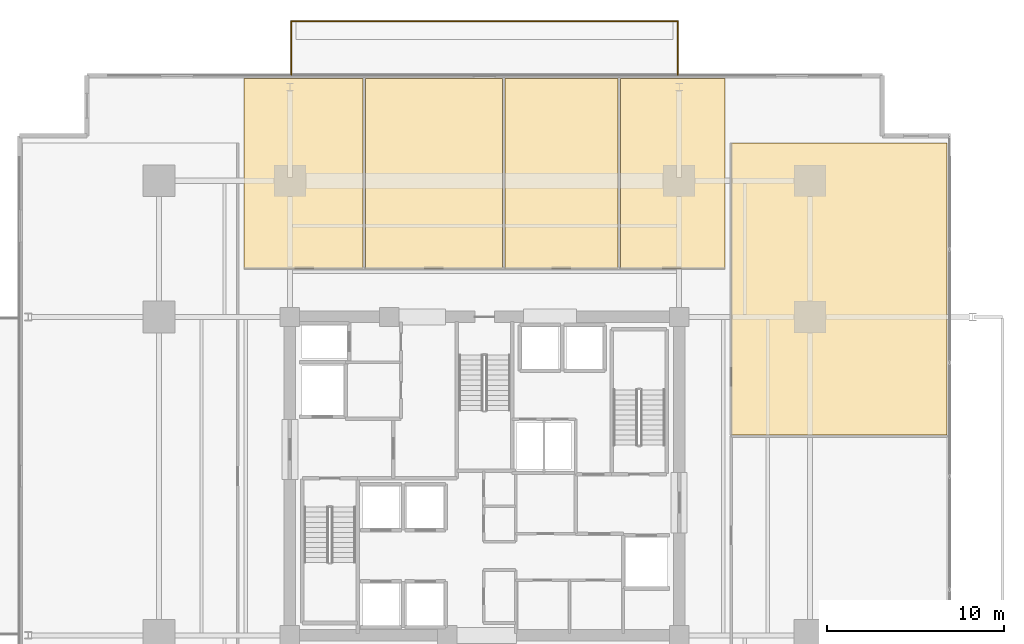
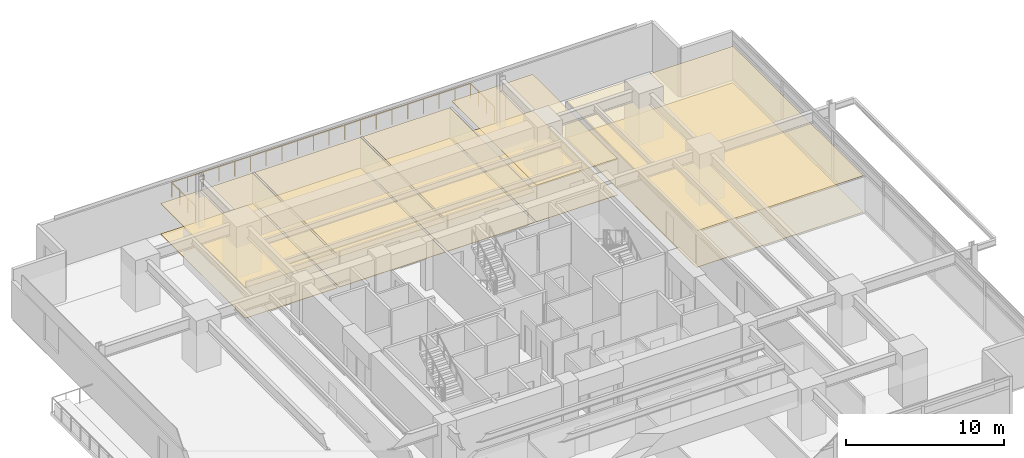
# One storey, part 19 of 19: 10 coverings, 1 railing.
"""IFC4 building model written with IfcOpenShell, lengths in metres."""

import ifcopenshell
import ifcopenshell.guid

model = None  # the IFC model being written
_history = None  # IfcOwnerHistory: only IFC2X3 demands one
_inside = {}  # id of a spatial element -> (the spatial element, [elements in it])
_under = {}  # id of a project, library or spatial element -> (it, [spatial elements below it])
_declared = {}  # id of a project -> (the project, [libraries it declares])
_typed = {}  # id of a type object -> (the type object, [elements of that type])
_made_of = {}  # id of a material, layer set ... -> (it, [elements and type objects made of it])


def new_model(schema):
    """Start an empty IFC model of exactly this schema.

    Asked for "IFC4X3", IfcOpenShell would pick the latest addendum, in which some entities
    have other attributes; the version numbers below select the first issue.
    IFC2X3 requires an IfcOwnerHistory on every rooted entity: one is made here for all.
    """
    global model, _history
    if schema == "IFC4X3":
        model = ifcopenshell.file(schema_version=(4, 3, 0, 0))
    else:
        model = ifcopenshell.file(schema=schema)
    _inside.clear()
    _under.clear()
    _declared.clear()
    _typed.clear()
    _made_of.clear()
    _history = None
    if model.schema == "IFC2X3":
        org = make("IfcOrganization", Name="unknown")
        user = make(
            "IfcPersonAndOrganization",
            ThePerson=make("IfcPerson", FamilyName="unknown"),
            TheOrganization=org,
        )
        app = make(
            "IfcApplication",
            ApplicationDeveloper=org,
            Version="unknown",
            ApplicationFullName="unknown",
            ApplicationIdentifier="unknown",
        )
        _history = make(
            "IfcOwnerHistory",
            OwningUser=user,
            OwningApplication=app,
            ChangeAction="ADDED",
            CreationDate=0,
        )
    return model


def make(cls, **values):
    """One entity of the class cls with the attributes given. An attribute that is None is left unset."""
    return model.create_entity(
        cls, **{name: value for name, value in values.items() if value is not None}
    )


def rooted(cls, **values):
    """An entity with a GlobalId (a new one), such as an element, a storey or a relation."""
    return make(cls, GlobalId=ifcopenshell.guid.new(), OwnerHistory=_history, **values)


def si_unit(unit_type, name, prefix=None):
    """IfcSIUnit, for example si_unit("LENGTHUNIT", "METRE", prefix="MILLI")."""
    return make("IfcSIUnit", UnitType=unit_type, Prefix=prefix, Name=name)


def assignment(units):
    """IfcUnitAssignment: the units of a project."""
    return None if units is None else make("IfcUnitAssignment", Units=units)


def point(xyz):
    """IfcCartesianPoint."""
    return None if xyz is None else make("IfcCartesianPoint", Coordinates=xyz)


def direction(xyz):
    """IfcDirection."""
    return None if xyz is None else make("IfcDirection", DirectionRatios=xyz)


def frame(location, z_axis=None, x_axis=None):
    """IfcAxis2Placement3D, a coordinate frame: its origin and axes. An axis left out is left unset."""
    return make(
        "IfcAxis2Placement3D",
        Location=point(location),
        Axis=direction(z_axis),
        RefDirection=direction(x_axis),
    )


def frame_2d(location, x_axis=None):
    """IfcAxis2Placement2D, a coordinate frame in the plane: its origin and x axis."""
    return make(
        "IfcAxis2Placement2D", Location=point(location), RefDirection=direction(x_axis)
    )


def origin():
    """The frame at (0, 0, 0) with its axes left unset."""
    return frame((0.0, 0.0, 0.0))


def origin_2d():
    """The frame at (0, 0) in the plane with its x axis left unset."""
    return frame_2d((0.0, 0.0))


def place(relative_to, where):
    """IfcLocalPlacement: puts the frame where relative to a parent placement (None: the world)."""
    return make(
        "IfcLocalPlacement", PlacementRelTo=relative_to, RelativePlacement=where
    )


def context(
    kind, dimensions, precision=None, world=None, true_north=None, identifier=None
):
    """IfcGeometricRepresentationContext, for example the 3D "Model" context."""
    return make(
        "IfcGeometricRepresentationContext",
        ContextIdentifier=identifier,
        ContextType=kind,
        CoordinateSpaceDimension=dimensions,
        Precision=precision,
        WorldCoordinateSystem=world,
        TrueNorth=true_north,
    )


def subcontext(parent, identifier, kind, view, scale=None):
    """IfcGeometricRepresentationSubContext, for example "Body" below "Model"."""
    return make(
        "IfcGeometricRepresentationSubContext",
        ContextIdentifier=identifier,
        ContextType=kind,
        ParentContext=parent,
        TargetScale=scale,
        TargetView=view,
    )


def project(units=None, contexts=None):
    """IfcProject with its units and contexts."""
    return rooted(
        "IfcProject",
        Name="project",
        RepresentationContexts=contexts,
        UnitsInContext=assignment(units),
    )


def spatial(cls, under=None, at=None, **own):
    """A site, building, storey or space (cls), placed at a placement, below another one or the project."""
    s = rooted(cls, ObjectPlacement=at, **own)
    if under is not None:
        _under.setdefault(under.id(), (under, []))[1].append(s)
    return s


def polyline(points):
    """IfcPolyline through the points."""
    return make("IfcPolyline", Points=[point(p) for p in points])


def profile(cls, at=None, kind="AREA", **sizes):
    """A parametric profile (cls). Its sizes go by their IFC names, for example OverallWidth=200.0."""
    return make(cls, ProfileType=kind, Position=at, **sizes)


def circle(**sizes):
    """IfcCircleProfileDef."""
    return profile("IfcCircleProfileDef", **sizes)


def outline(outer, holes=None, kind="AREA"):
    """IfcArbitraryClosedProfileDef: a profile drawn as a closed curve; with holes, ...WithVoids."""
    if holes is None:
        return make("IfcArbitraryClosedProfileDef", ProfileType=kind, OuterCurve=outer)
    return make(
        "IfcArbitraryProfileDefWithVoids",
        ProfileType=kind,
        OuterCurve=outer,
        InnerCurves=holes,
    )


def extrude(swept, where, along, depth):
    """IfcExtrudedAreaSolid: the profile swept, set in the frame where, extruded along a direction by depth."""
    return make(
        "IfcExtrudedAreaSolid",
        SweptArea=swept,
        Position=where,
        ExtrudedDirection=direction(along),
        Depth=depth,
    )


def shape(context_of_items, identifier, shape_type, items):
    """IfcShapeRepresentation: the items that make up one representation, for example the "Body"."""
    return make(
        "IfcShapeRepresentation",
        ContextOfItems=context_of_items,
        RepresentationIdentifier=identifier,
        RepresentationType=shape_type,
        Items=items,
    )


def material(Name=None, Category=None):
    """IfcMaterial."""
    return make("IfcMaterial", Name=Name, Category=Category)


def layer(
    of_material, thickness, ventilated=None, Name=None, Category=None, Priority=None
):
    """IfcMaterialLayer: one layer of a wall or slab, of a material (None: an air gap)."""
    return make(
        "IfcMaterialLayer",
        Material=of_material,
        LayerThickness=thickness,
        IsVentilated=ventilated,
        Name=Name,
        Category=Category,
        Priority=Priority,
    )


def layer_set(layers, Name=None):
    """IfcMaterialLayerSet."""
    return make("IfcMaterialLayerSet", MaterialLayers=layers, LayerSetName=Name)


def made_of(thing, what):
    """Note that an element or type object is made of a material, layer set ...; save() writes the relation."""
    if what is not None:
        _made_of.setdefault(what.id(), (what, []))[1].append(thing)
    return thing


def type_object(cls, material=None, **own):
    """A type object (cls), such as IfcWallType, which elements share."""
    return made_of(rooted(cls, **own), material)


def element(
    cls,
    number,
    at=None,
    inside=None,
    cuts=None,
    type_object=None,
    material=None,
    context=None,
    identifier="Body",
    shape_type=None,
    held_by="IfcProductDefinitionShape",
    body=None,
    shapes=None,
    **own,
):
    """One element of the class cls, such as IfcWall. Its Tag is "e" and its number.

    at: its placement. inside: the storey or other place that contains it. cuts: it is an
    opening in that element (IfcRelVoidsElement). A single representation is given by context,
    identifier, shape_type and body (its items); several are given by shapes. held_by: the class
    of the entity that holds the representations. save() writes the other relations.
    """
    e = rooted(cls, Tag="e%d" % number, ObjectPlacement=at, **own)
    if body is not None:
        shapes = [shape(context, identifier, shape_type, body)]
    if shapes is not None:
        e.Representation = make(held_by, Representations=shapes)
    if inside is not None:
        _inside.setdefault(inside.id(), (inside, []))[1].append(e)
    if cuts is not None:
        rooted(
            "IfcRelVoidsElement", RelatingBuildingElement=cuts, RelatedOpeningElement=e
        )
    if type_object is not None:
        _typed.setdefault(type_object.id(), (type_object, []))[1].append(e)
    return made_of(e, material)


def aggregate(whole, parts):
    """IfcRelAggregates: a whole, such as a stair, and the parts it consists of."""
    return rooted("IfcRelAggregates", RelatingObject=whole, RelatedObjects=parts)


def save(model, path):
    """Write the relations noted so far, then the file.

    IfcRelAggregates (storeys below a building ...), IfcRelContainedInSpatialStructure (elements
    in a storey), IfcRelDefinesByType, IfcRelAssociatesMaterial and IfcRelDeclares: one each for
    every whole, place, type object, material and project.
    """
    for whole, parts in _under.values():
        aggregate(whole, parts)
    for where, things in _inside.values():
        rooted(
            "IfcRelContainedInSpatialStructure",
            RelatedElements=things,
            RelatingStructure=where,
        )
    for kind, things in _typed.values():
        rooted("IfcRelDefinesByType", RelatedObjects=things, RelatingType=kind)
    for what, things in _made_of.values():
        rooted("IfcRelAssociatesMaterial", RelatedObjects=things, RelatingMaterial=what)
    for by, libraries in _declared.values():
        rooted("IfcRelDeclares", RelatingContext=by, RelatedDefinitions=libraries)
    model.write(path)


model = new_model("IFC4")

# Units and contexts
model_context = context("Model", 3, precision=1e-05, world=origin(), true_north=direction((0.0, 1.0)))
body_context = subcontext(model_context, "Body", "Model", "MODEL_VIEW")
ifc_project = project(units=[si_unit("LENGTHUNIT", "METRE"), si_unit("AREAUNIT", "SQUARE_METRE"), si_unit("VOLUMEUNIT", "CUBIC_METRE"), si_unit("PLANEANGLEUNIT", "RADIAN"), si_unit("MASSUNIT", "GRAM", prefix="KILO")], contexts=[model_context])

# Site, building, storey
site_placement = place(None, origin())
site = spatial("IfcSite", under=ifc_project, at=site_placement, CompositionType="ELEMENT")
building_placement = place(site_placement, origin())
building = spatial("IfcBuilding", under=site, at=building_placement, Name="Kovane Verandah Tower", CompositionType="ELEMENT")
storey_placement = place(building_placement, frame((0.0, 0.0, 83.60009765625)))
storey = spatial("IfcBuildingStorey", under=building, at=storey_placement, Name="L19", CompositionType="ELEMENT", Elevation=83.60009765625)

# Coverings
ifc_material_1 = material(Name="Perforated Acoustic Mineral-Fibre Ceiling Tile", Category="gypsum")
ifc_layer_1 = layer(ifc_material_1, 0.02490234375)
ifc_layer_set_1 = layer_set([ifc_layer_1], Name="Perforated Acoustic Mineral-Fibre Ceiling Tile")
covering_type_1 = type_object("IfcCoveringType", Name="CV-CEIL-25", PredefinedType="CEILING", material=ifc_layer_set_1)
covering_1_placement = place(storey_placement, frame((0.0, 0.0, 2.364990234375)))
element("IfcCovering", 1, at=covering_1_placement, inside=storey, type_object=covering_type_1, Name="L19 Focus Studio N1 Acoustic Ceiling", PredefinedType="CEILING", context=body_context, shape_type="SweptSolid", body=[
    extrude(outline(polyline([(26.39990234375, 39.25), (33.1298828125, 39.25), (33.1298828125, 49.9892578125), (26.39990234375, 49.9892578125), (26.39990234375, 39.25)])), origin(), (0.0, 0.0, 1.0), 0.02490234375),
])
covering_2_placement = place(storey_placement, frame((0.0, 0.0, 2.364990234375)))
element("IfcCovering", 2, at=covering_2_placement, inside=storey, type_object=covering_type_1, Name="L19 Breakout Pantry N2 Acoustic Ceiling", PredefinedType="CEILING", context=body_context, shape_type="SweptSolid", body=[
    extrude(outline(polyline([(33.27001953125, 39.25), (41.01806640625, 39.25), (41.01806640625, 49.9892578125), (33.27001953125, 49.9892578125), (33.27001953125, 39.25)])), origin(), (0.0, 0.0, 1.0), 0.02490234375),
])
covering_3_placement = place(storey_placement, frame((0.0, 0.0, 2.364990234375)))
element("IfcCovering", 3, at=covering_3_placement, inside=storey, type_object=covering_type_1, Name="L19 Collaboration Hub N3 Acoustic Ceiling", PredefinedType="CEILING", context=body_context, shape_type="SweptSolid", body=[
    extrude(outline(polyline([(41.157958984375, 39.25), (47.5458984375, 39.25), (47.5458984375, 49.9892578125), (41.157958984375, 49.9892578125), (41.157958984375, 39.25)])), origin(), (0.0, 0.0, 1.0), 0.02490234375),
])
covering_4_placement = place(storey_placement, frame((0.0, 0.0, 2.824951171875)))
element("IfcCovering", 4, at=covering_4_placement, inside=storey, type_object=covering_type_1, Name="L19 Document and Print Room N4 Acoustic Ceiling", PredefinedType="CEILING", context=body_context, shape_type="SweptSolid", body=[
    extrude(outline(polyline([(47.68603515625, 39.25), (53.60009765625, 39.25), (53.60009765625, 49.9892578125), (47.68603515625, 49.9892578125), (47.68603515625, 39.25)])), origin(), (0.0, 0.0, 1.0), 0.02490234375),
])
covering_5_placement = place(storey_placement, frame((0.0, 0.0, 2.824951171875)))
element("IfcCovering", 5, at=covering_5_placement, inside=storey, type_object=covering_type_1, Name="L19 Collaboration Hub E2 Acoustic Ceiling", PredefinedType="CEILING", context=body_context, shape_type="SweptSolid", body=[
    extrude(outline(polyline([(53.949951171875, 29.830810546875), (66.134521484375, 29.830810546875), (66.134521484375, 46.339111328125), (53.949951171875, 46.339111328125), (53.949951171875, 29.830810546875)])), origin(), (0.0, 0.0, 1.0), 0.02490234375),
])
ifc_material_2 = material(Name="Polished Terrazzo and Raised-Access Carpet Tile Finish", Category="concrete")
ifc_layer_2 = layer(ifc_material_2, 0.030029296875)
ifc_layer_set_2 = layer_set([ifc_layer_2], Name="Polished Terrazzo and Raised-Access Carpet Tile Finish")
covering_type_2 = type_object("IfcCoveringType", Name="CV-FLOR-30", PredefinedType="FLOORING", material=ifc_layer_set_2)
covering_6_placement = place(storey_placement, origin())
element("IfcCovering", 6, at=covering_6_placement, inside=storey, type_object=covering_type_2, Name="L19 Focus Studio N1 Floor Finish", PredefinedType="FLOORING", context=body_context, shape_type="SweptSolid", body=[
    extrude(outline(polyline([(26.39990234375, 39.25), (33.1298828125, 39.25), (33.1298828125, 49.9892578125), (26.39990234375, 49.9892578125), (26.39990234375, 39.25)])), origin(), (0.0, 0.0, 1.0), 0.02978515625),
])
covering_7_placement = place(storey_placement, origin())
element("IfcCovering", 7, at=covering_7_placement, inside=storey, type_object=covering_type_2, Name="L19 Breakout Pantry N2 Floor Finish", PredefinedType="FLOORING", context=body_context, shape_type="SweptSolid", body=[
    extrude(outline(polyline([(33.27001953125, 39.25), (41.01806640625, 39.25), (41.01806640625, 49.9892578125), (33.27001953125, 49.9892578125), (33.27001953125, 39.25)])), origin(), (0.0, 0.0, 1.0), 0.02978515625),
])
covering_8_placement = place(storey_placement, origin())
element("IfcCovering", 8, at=covering_8_placement, inside=storey, type_object=covering_type_2, Name="L19 Collaboration Hub N3 Floor Finish", PredefinedType="FLOORING", context=body_context, shape_type="SweptSolid", body=[
    extrude(outline(polyline([(41.157958984375, 39.25), (47.5458984375, 39.25), (47.5458984375, 49.9892578125), (41.157958984375, 49.9892578125), (41.157958984375, 39.25)])), origin(), (0.0, 0.0, 1.0), 0.02978515625),
])
covering_9_placement = place(storey_placement, origin())
element("IfcCovering", 9, at=covering_9_placement, inside=storey, type_object=covering_type_2, Name="L19 Document and Print Room N4 Floor Finish", PredefinedType="FLOORING", context=body_context, shape_type="SweptSolid", body=[
    extrude(outline(polyline([(47.68603515625, 39.25), (53.60009765625, 39.25), (53.60009765625, 49.9892578125), (47.68603515625, 49.9892578125), (47.68603515625, 39.25)])), origin(), (0.0, 0.0, 1.0), 0.02978515625),
])
covering_10_placement = place(storey_placement, origin())
element("IfcCovering", 10, at=covering_10_placement, inside=storey, type_object=covering_type_2, Name="L19 Collaboration Hub E2 Floor Finish", PredefinedType="FLOORING", context=body_context, shape_type="SweptSolid", body=[
    extrude(outline(polyline([(53.949951171875, 29.830810546875), (66.134521484375, 29.830810546875), (66.134521484375, 46.339111328125), (53.949951171875, 46.339111328125), (53.949951171875, 29.830810546875)])), origin(), (0.0, 0.0, 1.0), 0.02978515625),
])

# Railing
ifc_material_3 = material(Name="Laminated Glass and Pale-Champagne Stainless Balustrade", Category="glass")
railing_type = type_object("IfcRailingType", Name="RL-BAL-1150", PredefinedType="BALUSTRADE", material=ifc_material_3)
railing_placement = place(storey_placement, frame((29.080078125, 50.189208984375, 0.0)))
element("IfcRailing", 11, at=railing_placement, inside=storey, type_object=railing_type, Name="L19 N Verandah Glass Balustrade", PredefinedType="BALUSTRADE", context=body_context, shape_type="SweptSolid", body=[
    extrude(circle(Radius=0.02392578125, at=origin_2d()), frame((0.0, 0.0, 1.1259765625), z_axis=(0.0, 1.0, 0.0), x_axis=(-1.0, 0.0, 0.0)), (0.0, 0.0, 1.0), 3.02001953125),
    extrude(circle(Radius=0.02392578125, at=origin_2d()), frame((0.0, 3.02001953125, 1.1259765625), z_axis=(1.0, 0.0, 0.0), x_axis=(0.0, 1.0, 0.0)), (0.0, 0.0, 1.0), 21.83984375),
    extrude(circle(Radius=0.02392578125, at=origin_2d()), frame((21.83984375, 3.02001953125, 1.1259765625), z_axis=(0.0, -1.0, 0.0), x_axis=(1.0, 0.0, 0.0)), (0.0, 0.0, 1.0), 3.02001953125),
    extrude(circle(Radius=0.02099609375, at=origin_2d()), origin(), (0.0, 0.0, 1.0), 1.101806640625),
    extrude(circle(Radius=0.02099609375, at=origin_2d()), frame((0.0, 1.006591796875, 0.0)), (0.0, 0.0, 1.0), 1.101806640625),
    extrude(circle(Radius=0.02099609375, at=origin_2d()), frame((0.0, 2.013427734375, 0.0)), (0.0, 0.0, 1.0), 1.101806640625),
    extrude(circle(Radius=0.02099609375, at=origin_2d()), frame((0.0, 3.02001953125, 0.0)), (0.0, 0.0, 1.0), 1.101806640625),
    extrude(circle(Radius=0.02099609375, at=origin_2d()), frame((1.1494140625, 3.02001953125, 0.0)), (0.0, 0.0, 1.0), 1.101806640625),
    extrude(circle(Radius=0.02099609375, at=origin_2d()), frame((2.298828125, 3.02001953125, 0.0)), (0.0, 0.0, 1.0), 1.101806640625),
    extrude(circle(Radius=0.02099609375, at=origin_2d()), frame((3.448486328125, 3.02001953125, 0.0)), (0.0, 0.0, 1.0), 1.101806640625),
    extrude(circle(Radius=0.02099609375, at=origin_2d()), frame((4.597900390625, 3.02001953125, 0.0)), (0.0, 0.0, 1.0), 1.101806640625),
    extrude(circle(Radius=0.02099609375, at=origin_2d()), frame((5.747314453125, 3.02001953125, 0.0)), (0.0, 0.0, 1.0), 1.101806640625),
    extrude(circle(Radius=0.02099609375, at=origin_2d()), frame((6.896728515625, 3.02001953125, 0.0)), (0.0, 0.0, 1.0), 1.101806640625),
    extrude(circle(Radius=0.02099609375, at=origin_2d()), frame((8.046142578125, 3.02001953125, 0.0)), (0.0, 0.0, 1.0), 1.101806640625),
    extrude(circle(Radius=0.02099609375, at=origin_2d()), frame((9.19580078125, 3.02001953125, 0.0)), (0.0, 0.0, 1.0), 1.101806640625),
    extrude(circle(Radius=0.02099609375, at=origin_2d()), frame((10.34521484375, 3.02001953125, 0.0)), (0.0, 0.0, 1.0), 1.101806640625),
    extrude(circle(Radius=0.02099609375, at=origin_2d()), frame((11.49462890625, 3.02001953125, 0.0)), (0.0, 0.0, 1.0), 1.101806640625),
    extrude(circle(Radius=0.02099609375, at=origin_2d()), frame((12.64404296875, 3.02001953125, 0.0)), (0.0, 0.0, 1.0), 1.101806640625),
    extrude(circle(Radius=0.02099609375, at=origin_2d()), frame((13.793701171875, 3.02001953125, 0.0)), (0.0, 0.0, 1.0), 1.101806640625),
    extrude(circle(Radius=0.02099609375, at=origin_2d()), frame((14.943115234375, 3.02001953125, 0.0)), (0.0, 0.0, 1.0), 1.101806640625),
    extrude(circle(Radius=0.02099609375, at=origin_2d()), frame((16.092529296875, 3.02001953125, 0.0)), (0.0, 0.0, 1.0), 1.101806640625),
    extrude(circle(Radius=0.02099609375, at=origin_2d()), frame((17.241943359375, 3.02001953125, 0.0)), (0.0, 0.0, 1.0), 1.101806640625),
    extrude(circle(Radius=0.02099609375, at=origin_2d()), frame((18.391357421875, 3.02001953125, 0.0)), (0.0, 0.0, 1.0), 1.101806640625),
    extrude(circle(Radius=0.02099609375, at=origin_2d()), frame((19.541015625, 3.02001953125, 0.0)), (0.0, 0.0, 1.0), 1.101806640625),
    extrude(circle(Radius=0.02099609375, at=origin_2d()), frame((20.6904296875, 3.02001953125, 0.0)), (0.0, 0.0, 1.0), 1.101806640625),
    extrude(circle(Radius=0.02099609375, at=origin_2d()), frame((21.83984375, 3.02001953125, 0.0)), (0.0, 0.0, 1.0), 1.101806640625),
    extrude(circle(Radius=0.02099609375, at=origin_2d()), frame((21.83984375, 2.013427734375, 0.0)), (0.0, 0.0, 1.0), 1.101806640625),
    extrude(circle(Radius=0.02099609375, at=origin_2d()), frame((21.83984375, 1.006591796875, 0.0)), (0.0, 0.0, 1.0), 1.101806640625),
    extrude(circle(Radius=0.02099609375, at=origin_2d()), frame((21.83984375, 0.0, 0.0)), (0.0, 0.0, 1.0), 1.101806640625),
])

save(model, "model.ifc")
